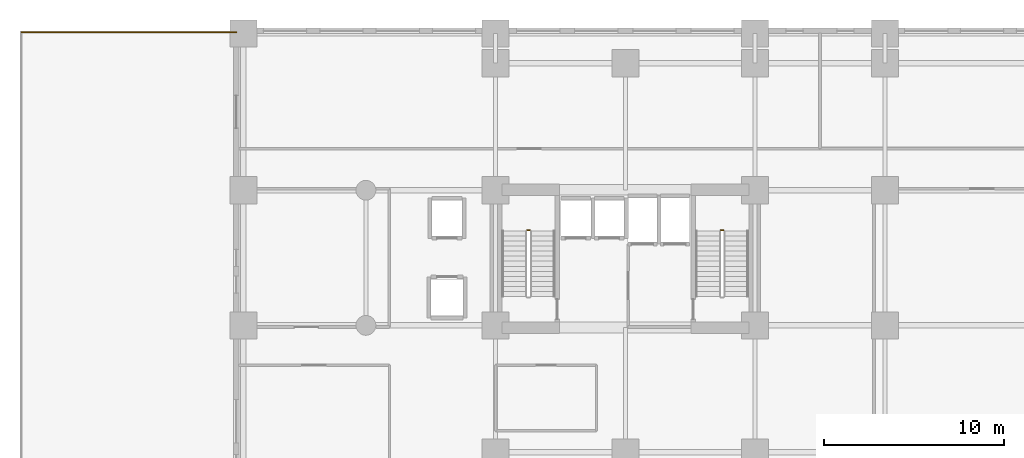
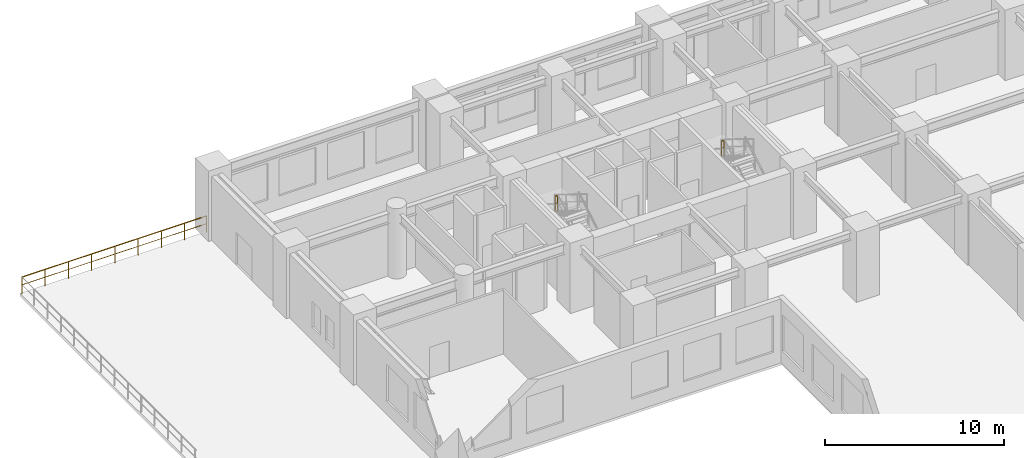
# One storey, part 9 of 10: 3 railings.
"""IFC4 building model written with IfcOpenShell, lengths in metres."""

from ifc_helpers import new_model, si_unit, direction, frame, origin, origin_2d, place, context, subcontext, project, spatial, rectangle, extrude, material, type_object, element, save


model = new_model("IFC4")

# Units and contexts
model_context = context("Model", 3, precision=1e-05, world=origin(), true_north=direction((0.0, 1.0)))
body_context = subcontext(model_context, "Body", "Model", "MODEL_VIEW")
ifc_project = project(units=[si_unit("LENGTHUNIT", "METRE"), si_unit("AREAUNIT", "SQUARE_METRE"), si_unit("VOLUMEUNIT", "CUBIC_METRE"), si_unit("PLANEANGLEUNIT", "RADIAN"), si_unit("MASSUNIT", "GRAM", prefix="KILO")], contexts=[model_context])

# Site, building, storey
site_placement = place(None, origin())
site = spatial("IfcSite", under=ifc_project, at=site_placement, CompositionType="ELEMENT")
building_placement = place(site_placement, origin())
building = spatial("IfcBuilding", under=site, at=building_placement, Name="Kaliganga Portal Commons", CompositionType="ELEMENT")
storey_placement = place(building_placement, frame((0.0, 0.0, 15.0)))
storey = spatial("IfcBuildingStorey", under=building, at=storey_placement, Name="L03", CompositionType="ELEMENT", Elevation=15.0)

# Railings
ifc_material_1 = material(Name="Laminated Safety Glass and Stainless Steel 316", Category="steel")
railing_type_1 = type_object("IfcRailingType", Name="RLG-BAL-1150", PredefinedType="BALUSTRADE", material=ifc_material_1)
railing_placement = place(storey_placement, frame((-11.919921875, 44.919921875, 0.0)))
element("IfcRailing", 1, at=railing_placement, inside=storey, type_object=railing_type_1, Name="Terrace Guardrail L03 west_podium_terrace-03-1", PredefinedType="BALUSTRADE", context=body_context, shape_type="SweptSolid", body=[
    extrude(rectangle(XDim=0.048095703125, YDim=0.048095703125, at=origin_2d()), frame((0.0, 0.0, 1.1259765625), z_axis=(1.0, 0.0, 0.0), x_axis=(0.0, 1.0, 0.0)), (0.0, 0.0, 1.0), 11.919921875),
    extrude(rectangle(XDim=0.028076171875, YDim=0.028076171875, at=origin_2d()), frame((0.0, 0.0, 0.597900390625), z_axis=(1.0, 0.0, 0.0), x_axis=(0.0, 1.0, 0.0)), (0.0, 0.0, 1.0), 11.919921875),
    extrude(rectangle(XDim=0.0419921875, YDim=0.0419921875, at=origin_2d()), origin(), (0.0, 0.0, 1.0), 1.101806640625),
    extrude(rectangle(XDim=0.0419921875, YDim=0.0419921875, at=origin_2d()), frame((1.5, 0.0, 0.0)), (0.0, 0.0, 1.0), 1.101806640625),
    extrude(rectangle(XDim=0.0419921875, YDim=0.0419921875, at=origin_2d()), frame((3.0, 0.0, 0.0)), (0.0, 0.0, 1.0), 1.101806640625),
    extrude(rectangle(XDim=0.0419921875, YDim=0.0419921875, at=origin_2d()), frame((4.5, 0.0, 0.0)), (0.0, 0.0, 1.0), 1.101806640625),
    extrude(rectangle(XDim=0.0419921875, YDim=0.0419921875, at=origin_2d()), frame((6.0, 0.0, 0.0)), (0.0, 0.0, 1.0), 1.101806640625),
    extrude(rectangle(XDim=0.0419921875, YDim=0.0419921875, at=origin_2d()), frame((7.5, 0.0, 0.0)), (0.0, 0.0, 1.0), 1.101806640625),
    extrude(rectangle(XDim=0.0419921875, YDim=0.0419921875, at=origin_2d()), frame((9.0, 0.0, 0.0)), (0.0, 0.0, 1.0), 1.101806640625),
    extrude(rectangle(XDim=0.0419921875, YDim=0.0419921875, at=origin_2d()), frame((10.5, 0.0, 0.0)), (0.0, 0.0, 1.0), 1.101806640625),
    extrude(rectangle(XDim=0.0419921875, YDim=0.0419921875, at=origin_2d()), frame((11.919921875, 0.0, 0.0)), (0.0, 0.0, 1.0), 1.101806640625),
])
ifc_material_2 = material(Name="Galvanized Painted Steel Balustrade", Category="steel")
railing_type_2 = type_object("IfcRailingType", Name="RLG-STAIR-GRD", PredefinedType="GUARDRAIL", material=ifc_material_2)
for number, where, name in (
    (2, (16.300048828125, 33.93994140625, 2.39990234375), "L03 ST-A1 stair guard 2"),
    (3, (27.050048828125, 33.93994140625, 2.39990234375), "L03 ST-A2 stair guard 2"),
):
    element("IfcRailing", number, at=place(storey_placement, frame(where)), inside=storey, type_object=railing_type_2, Name=name, PredefinedType="GUARDRAIL", context=body_context, shape_type="SweptSolid", body=[
        extrude(rectangle(XDim=0.048095703125, YDim=0.048095703125, at=origin_2d()), frame((0.0, 0.0, 1.076171875), z_axis=(-1.0, 0.0, 0.0), x_axis=(0.0, -1.0, 0.0)), (0.0, 0.0, 1.0), 0.150146484375),
        extrude(rectangle(XDim=0.028076171875, YDim=0.028076171875, at=origin_2d()), frame((0.0, 0.0, 0.572021484375), z_axis=(-1.0, 0.0, 0.0), x_axis=(0.0, -1.0, 0.0)), (0.0, 0.0, 1.0), 0.150146484375),
        extrude(rectangle(XDim=0.0419921875, YDim=0.0419921875, at=origin_2d()), origin(), (0.0, 0.0, 1.0), 1.052001953125),
        extrude(rectangle(XDim=0.0419921875, YDim=0.0419921875, at=origin_2d()), frame((-0.150146484375, 0.0, 0.0)), (0.0, 0.0, 1.0), 1.052001953125),
    ])

save(model, "model.ifc")
